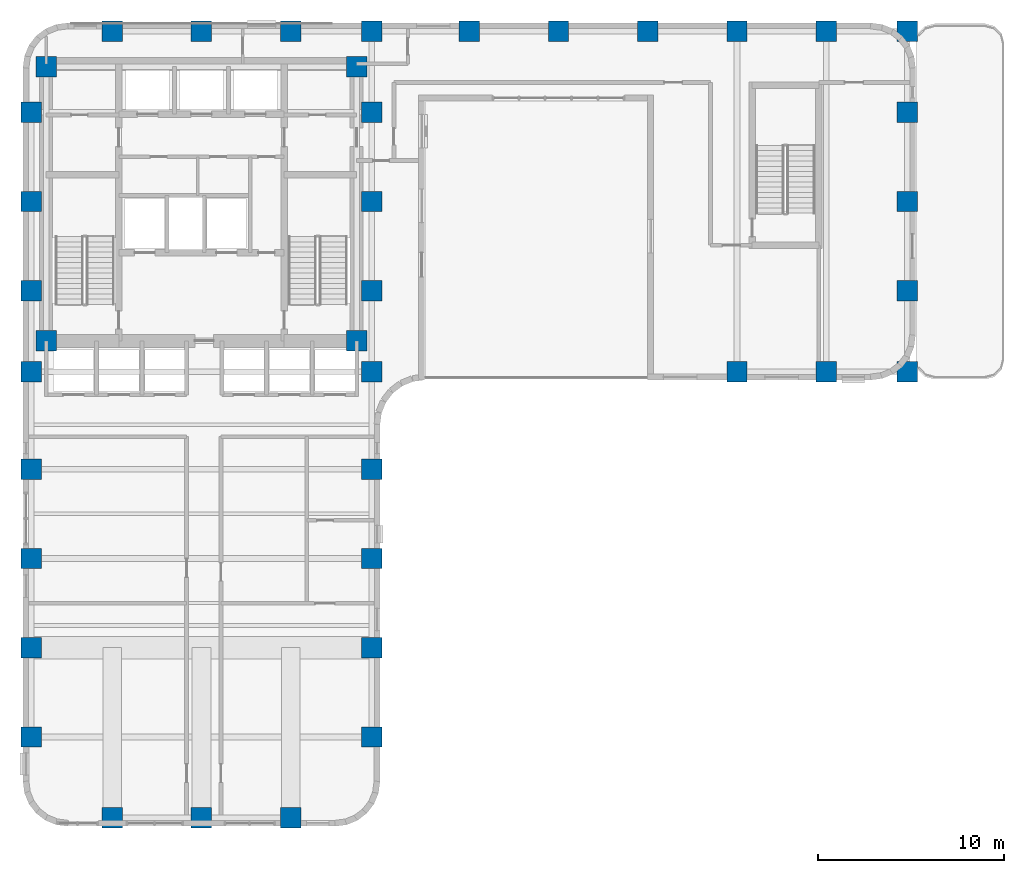
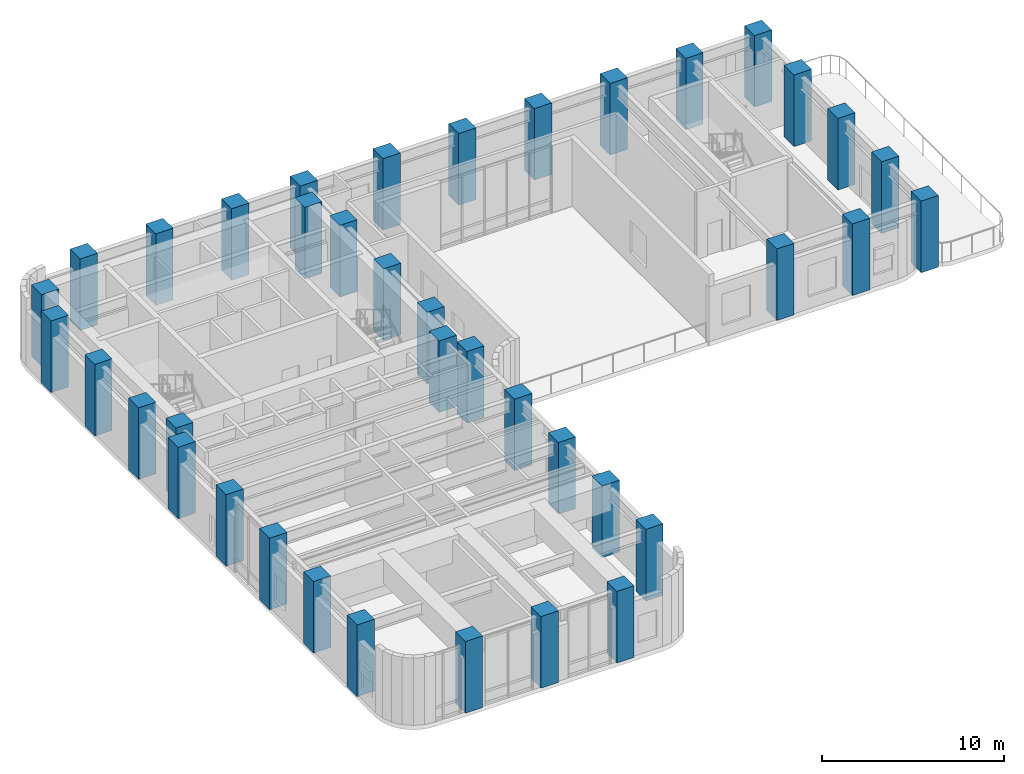
# One storey, part 1 of 12: 39 columns.
"""IFC4 building model written with IfcOpenShell, lengths in metres."""

from ifc_helpers import new_model, si_unit, direction, frame, origin, origin_2d, place, context, subcontext, project, spatial, rectangle, extrude, material, material_profile, profile_set, type_object, element, save


model = new_model("IFC4")

# Units and contexts
model_context = context("Model", 3, precision=1e-05, world=origin(), true_north=direction((0.0, 1.0)))
body_context = subcontext(model_context, "Body", "Model", "MODEL_VIEW")
ifc_project = project(units=[si_unit("LENGTHUNIT", "METRE"), si_unit("AREAUNIT", "SQUARE_METRE"), si_unit("VOLUMEUNIT", "CUBIC_METRE"), si_unit("PLANEANGLEUNIT", "RADIAN"), si_unit("MASSUNIT", "GRAM", prefix="KILO")], contexts=[model_context])

# Site, building, storey
site_placement = place(None, origin())
site = spatial("IfcSite", under=ifc_project, at=site_placement, CompositionType="ELEMENT")
building_placement = place(site_placement, origin())
building = spatial("IfcBuilding", under=site, at=building_placement, Name="Orvandelia Arch Residences", CompositionType="ELEMENT")
storey_placement = place(building_placement, frame((0.0, 0.0, 97.0)))
storey = spatial("IfcBuildingStorey", under=building, at=storey_placement, Name="L25", CompositionType="ELEMENT", Elevation=97.0)

# Columns
ifc_material = material(Name="Concrete C80/95", Category="concrete")
ifc_material_profile = material_profile(ifc_material, rectangle(XDim=1.10009765625, YDim=1.10009765625, at=origin_2d()), Name="Concrete C80/95", Category="concrete")
ifc_profile_set = profile_set([ifc_material_profile], Name="Concrete C80/95")
column_type = type_object("IfcColumnType", Name="COL-TWR-1100", PredefinedType="COLUMN", material=ifc_profile_set)
for number, where, z_axis, x_axis, name in (
    (1, (5.25, 9.60009765625, 0.0), (0.0, 0.0, 1.0), (1.0, 0.0, 0.0), "Structural Column L25-W-W-96"),
    (2, (5.25, 14.39990234375, 0.0), (0.0, 0.0, 1.0), (1.0, 0.0, 0.0), "Structural Column L25-W-W-144"),
    (3, (5.25, 19.199951171875, 0.0), (0.0, 0.0, 1.0), (1.0, 0.0, 0.0), "Structural Column L25-W-W-192"),
    (4, (5.25, 24.0, 0.0), (0.0, 0.0, 1.0), (1.0, 0.0, 0.0), "Structural Column L25-W-W-240"),
    (5, (5.25, 29.25, 0.0), (0.0, 0.0, 1.0), (1.0, 0.0, 0.0), "Structural Column L25-W-W-292"),
    (6, (5.25, 33.60009765625, 0.0), (0.0, 0.0, 1.0), (1.0, 0.0, 0.0), "Structural Column L25-W-W-336"),
    (7, (5.25, 38.39990234375, 0.0), (0.0, 0.0, 1.0), (1.0, 0.0, 0.0), "Structural Column L25-W-W-384"),
    (8, (5.25, 43.199951171875, 0.0), (0.0, 0.0, 1.0), (1.0, 0.0, 0.0), "Structural Column L25-W-W-432"),
    (9, (6.050048828125, 30.89990234375, 0.0), (0.0, 0.0, 1.0), (1.0, 0.0, 0.0), "Structural Column L25-CR-SW"),
    (10, (6.050048828125, 45.64990234375, 0.0), (0.0, 0.0, 1.0), (1.0, 0.0, 0.0), "Structural Column L25-CR-NW"),
    (11, (9.60009765625, 5.25, 0.0), (0.0, 0.0, 1.0), (1.0, 0.0, 0.0), "Structural Column L25-W-S-96"),
    (12, (9.60009765625, 47.550048828125, 0.0), (0.0, 0.0, 1.0), (1.0, 0.0, 0.0), "Structural Column L25-W-N-96"),
    (13, (14.39990234375, 5.25, 0.0), (0.0, 0.0, 1.0), (1.0, 0.0, 0.0), "Structural Column L25-W-S-144"),
    (14, (14.39990234375, 47.550048828125, 0.0), (0.0, 0.0, 1.0), (1.0, 0.0, 0.0), "Structural Column L25-W-N-144"),
    (15, (19.199951171875, 5.25, 0.0), (0.0, 0.0, 1.0), (1.0, 0.0, 0.0), "Structural Column L25-W-S-192"),
    (16, (19.199951171875, 47.550048828125, 0.0), (0.0, 0.0, 1.0), (1.0, 0.0, 0.0), "Structural Column L25-W-N-192"),
    (17, (22.75, 30.89990234375, 0.0), (0.0, 0.0, 1.0), (1.0, 0.0, 0.0), "Structural Column L25-CR-SE"),
    (18, (22.75, 45.64990234375, 0.0), (0.0, 0.0, 1.0), (1.0, 0.0, 0.0), "Structural Column L25-CR-NE"),
    (19, (23.550048828125, 9.60009765625, 0.0), (0.0, 0.0, 1.0), (1.0, 0.0, 0.0), "Structural Column L25-W-E-96"),
    (20, (23.550048828125, 14.39990234375, 0.0), (0.0, 0.0, 1.0), (1.0, 0.0, 0.0), "Structural Column L25-W-E-144"),
    (21, (23.550048828125, 19.199951171875, 0.0), (0.0, 0.0, 1.0), (1.0, 0.0, 0.0), "Structural Column L25-W-E-192"),
    (22, (23.550048828125, 24.0, 0.0), (0.0, 0.0, 1.0), (1.0, 0.0, 0.0), "Structural Column L25-W-E-240"),
    (23, (23.550048828125, 29.25, 0.0), (0.0, 0.0, 1.0), (1.0, 0.0, 0.0), "Structural Column L25-W-E-292"),
    (24, (23.550048828125, 33.60009765625, 0.0), (0.0, 0.0, 1.0), (1.0, 0.0, 0.0), "Structural Column L25-W-E-336"),
    (25, (23.550048828125, 38.39990234375, 0.0), (0.0, 0.0, 1.0), (1.0, 0.0, 0.0), "Structural Column L25-W-E-384"),
    (26, (23.550048828125, 43.199951171875, 0.0), (0.0, 0.0, 1.0), (1.0, 0.0, 0.0), "Structural Column L25-W-E-432"),
    (27, (23.550048828125, 47.550048828125, 0.0), (0.0, 0.0, 1.0), (1.0, 0.0, 0.0), "Structural Column L25-W-N-235"),
    (28, (28.800048828125, 47.550048828125, 0.0), (0.0, 0.0, 1.0), (1.0, 0.0, 0.0), "Structural Column L25-E-N-288"),
    (29, (33.60009765625, 47.550048828125, 0.0), (0.0, 0.0, 1.0), (1.0, 0.0, 0.0), "Structural Column L25-E-N-336"),
    (30, (38.39990234375, 47.550048828125, 0.0), (0.0, 0.0, 1.0), (1.0, 0.0, 0.0), "Structural Column L25-E-N-384"),
    (31, (43.199951171875, 29.25, 0.0), (0.0, 0.0, 1.0), (1.0, 0.0, 0.0), "Structural Column L25-E-S-432"),
    (32, (43.199951171875, 47.550048828125, 0.0), (0.0, 0.0, 1.0), (1.0, 0.0, 0.0), "Structural Column L25-E-N-432"),
    (33, (48.0, 29.25, 0.0), (0.0, 0.0, 1.0), (1.0, 0.0, 0.0), "Structural Column L25-E-S-480"),
    (34, (48.0, 47.550048828125, 0.0), (0.0, 0.0, 1.0), (1.0, 0.0, 0.0), "Structural Column L25-E-N-480"),
    (35, (52.35009765625, 29.25, 0.0), (0.0, 0.0, 1.0), (1.0, 0.0, 0.0), "Structural Column L25-E-S-523"),
    (36, (52.35009765625, 33.60009765625, 0.0), (0.0, 0.0, 1.0), (1.0, 0.0, 0.0), "Structural Column L25-E-523-336"),
    (37, (52.35009765625, 38.39990234375, 0.0), (0.0, 0.0, 1.0), (1.0, 0.0, 0.0), "Structural Column L25-E-523-384"),
    (38, (52.35009765625, 43.199951171875, 0.0), (0.0, 0.0, 1.0), (1.0, 0.0, 0.0), "Structural Column L25-E-523-432"),
    (39, (52.35009765625, 47.550048828125, 0.0), (0.0, 0.0, 1.0), (1.0, 0.0, 0.0), "Structural Column L25-E-N-523"),
):
    element("IfcColumn", number, at=place(storey_placement, frame(where, z_axis=z_axis, x_axis=x_axis)), inside=storey, type_object=column_type, Name=name, PredefinedType="COLUMN", context=body_context, shape_type="SweptSolid", body=[
        extrude(rectangle(XDim=1.10009765625, YDim=1.10009765625, at=origin_2d()), origin(), (0.0, 0.0, 1.0), 4.800048828125),
    ])

save(model, "model.ifc")
